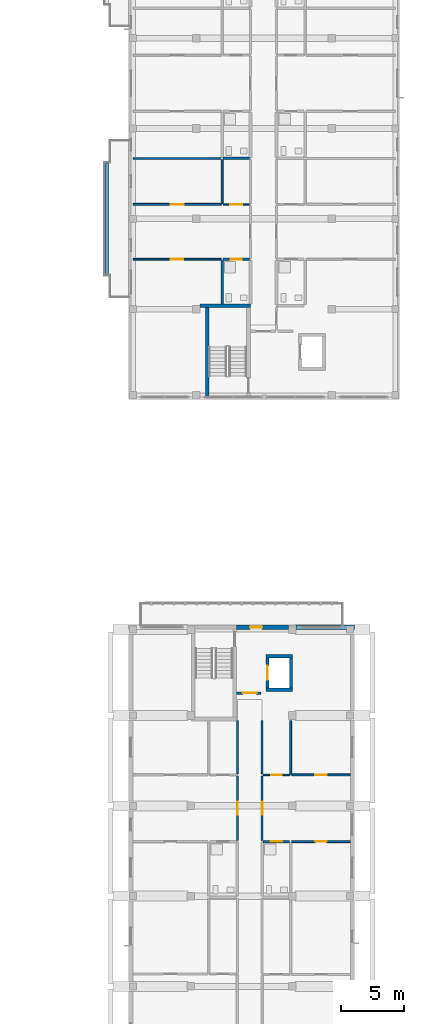
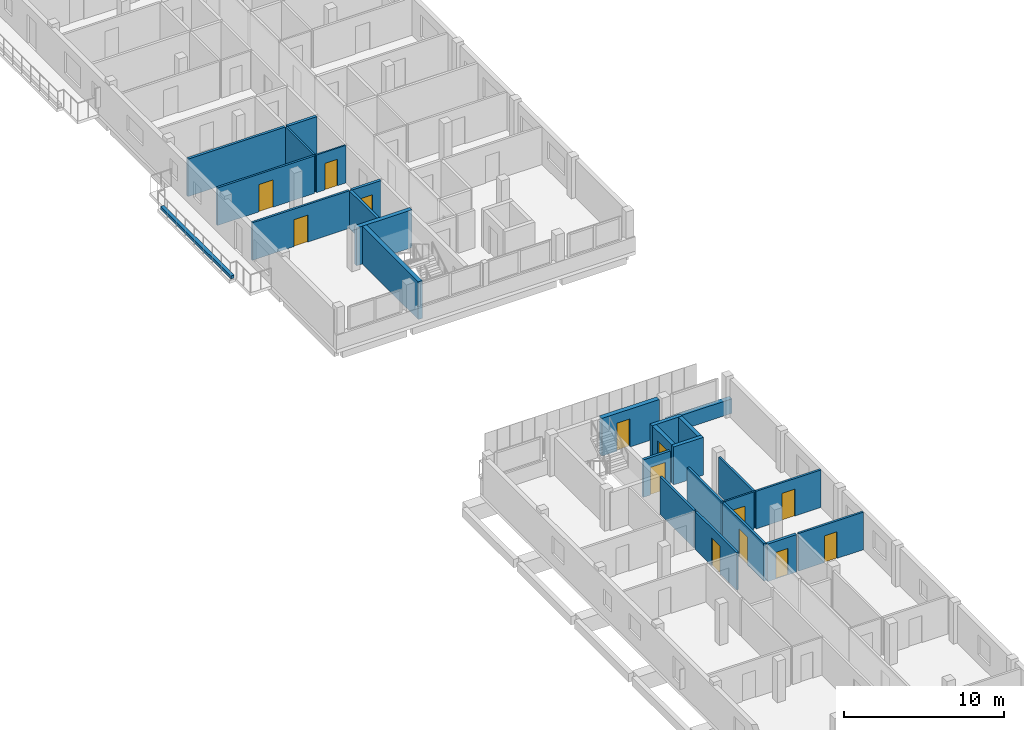
# One storey, part 22 of 41: 27 walls, 13 doors, 13 openings.
"""IFC4 building model written with IfcOpenShell, lengths in metres."""

import ifcopenshell
import ifcopenshell.guid

model = None  # the IFC model being written
_history = None  # IfcOwnerHistory: only IFC2X3 demands one
_inside = {}  # id of a spatial element -> (the spatial element, [elements in it])
_under = {}  # id of a project, library or spatial element -> (it, [spatial elements below it])
_declared = {}  # id of a project -> (the project, [libraries it declares])
_typed = {}  # id of a type object -> (the type object, [elements of that type])
_made_of = {}  # id of a material, layer set ... -> (it, [elements and type objects made of it])


def new_model(schema):
    """Start an empty IFC model of exactly this schema.

    Asked for "IFC4X3", IfcOpenShell would pick the latest addendum, in which some entities
    have other attributes; the version numbers below select the first issue.
    IFC2X3 requires an IfcOwnerHistory on every rooted entity: one is made here for all.
    """
    global model, _history
    if schema == "IFC4X3":
        model = ifcopenshell.file(schema_version=(4, 3, 0, 0))
    else:
        model = ifcopenshell.file(schema=schema)
    _inside.clear()
    _under.clear()
    _declared.clear()
    _typed.clear()
    _made_of.clear()
    _history = None
    if model.schema == "IFC2X3":
        org = make("IfcOrganization", Name="unknown")
        user = make(
            "IfcPersonAndOrganization",
            ThePerson=make("IfcPerson", FamilyName="unknown"),
            TheOrganization=org,
        )
        app = make(
            "IfcApplication",
            ApplicationDeveloper=org,
            Version="unknown",
            ApplicationFullName="unknown",
            ApplicationIdentifier="unknown",
        )
        _history = make(
            "IfcOwnerHistory",
            OwningUser=user,
            OwningApplication=app,
            ChangeAction="ADDED",
            CreationDate=0,
        )
    return model


def make(cls, **values):
    """One entity of the class cls with the attributes given. An attribute that is None is left unset."""
    return model.create_entity(
        cls, **{name: value for name, value in values.items() if value is not None}
    )


def rooted(cls, **values):
    """An entity with a GlobalId (a new one), such as an element, a storey or a relation."""
    return make(cls, GlobalId=ifcopenshell.guid.new(), OwnerHistory=_history, **values)


def si_unit(unit_type, name, prefix=None):
    """IfcSIUnit, for example si_unit("LENGTHUNIT", "METRE", prefix="MILLI")."""
    return make("IfcSIUnit", UnitType=unit_type, Prefix=prefix, Name=name)


def derived_unit(unit_type, elements):
    """IfcDerivedUnit: a product of units, each with its exponent."""
    return make(
        "IfcDerivedUnit",
        Elements=[
            make("IfcDerivedUnitElement", Unit=unit, Exponent=power)
            for unit, power in elements
        ],
        UnitType=unit_type,
    )


def assignment(units):
    """IfcUnitAssignment: the units of a project."""
    return None if units is None else make("IfcUnitAssignment", Units=units)


def point(xyz):
    """IfcCartesianPoint."""
    return None if xyz is None else make("IfcCartesianPoint", Coordinates=xyz)


def direction(xyz):
    """IfcDirection."""
    return None if xyz is None else make("IfcDirection", DirectionRatios=xyz)


def frame(location, z_axis=None, x_axis=None):
    """IfcAxis2Placement3D, a coordinate frame: its origin and axes. An axis left out is left unset."""
    return make(
        "IfcAxis2Placement3D",
        Location=point(location),
        Axis=direction(z_axis),
        RefDirection=direction(x_axis),
    )


def frame_2d(location, x_axis=None):
    """IfcAxis2Placement2D, a coordinate frame in the plane: its origin and x axis."""
    return make(
        "IfcAxis2Placement2D", Location=point(location), RefDirection=direction(x_axis)
    )


def origin():
    """The frame at (0, 0, 0) with its axes left unset."""
    return frame((0.0, 0.0, 0.0))


def place(relative_to, where):
    """IfcLocalPlacement: puts the frame where relative to a parent placement (None: the world)."""
    return make(
        "IfcLocalPlacement", PlacementRelTo=relative_to, RelativePlacement=where
    )


def context(
    kind, dimensions, precision=None, world=None, true_north=None, identifier=None
):
    """IfcGeometricRepresentationContext, for example the 3D "Model" context."""
    return make(
        "IfcGeometricRepresentationContext",
        ContextIdentifier=identifier,
        ContextType=kind,
        CoordinateSpaceDimension=dimensions,
        Precision=precision,
        WorldCoordinateSystem=world,
        TrueNorth=true_north,
    )


def subcontext(parent, identifier, kind, view, scale=None):
    """IfcGeometricRepresentationSubContext, for example "Body" below "Model"."""
    return make(
        "IfcGeometricRepresentationSubContext",
        ContextIdentifier=identifier,
        ContextType=kind,
        ParentContext=parent,
        TargetScale=scale,
        TargetView=view,
    )


def project(units=None, contexts=None):
    """IfcProject with its units and contexts."""
    return rooted(
        "IfcProject",
        Name="project",
        RepresentationContexts=contexts,
        UnitsInContext=assignment(units),
    )


def spatial(cls, under=None, at=None, **own):
    """A site, building, storey or space (cls), placed at a placement, below another one or the project."""
    s = rooted(cls, ObjectPlacement=at, **own)
    if under is not None:
        _under.setdefault(under.id(), (under, []))[1].append(s)
    return s


def profile(cls, at=None, kind="AREA", **sizes):
    """A parametric profile (cls). Its sizes go by their IFC names, for example OverallWidth=200.0."""
    return make(cls, ProfileType=kind, Position=at, **sizes)


def rectangle(**sizes):
    """IfcRectangleProfileDef."""
    return profile("IfcRectangleProfileDef", **sizes)


def extrude(swept, where, along, depth):
    """IfcExtrudedAreaSolid: the profile swept, set in the frame where, extruded along a direction by depth."""
    return make(
        "IfcExtrudedAreaSolid",
        SweptArea=swept,
        Position=where,
        ExtrudedDirection=direction(along),
        Depth=depth,
    )


def shape(context_of_items, identifier, shape_type, items):
    """IfcShapeRepresentation: the items that make up one representation, for example the "Body"."""
    return make(
        "IfcShapeRepresentation",
        ContextOfItems=context_of_items,
        RepresentationIdentifier=identifier,
        RepresentationType=shape_type,
        Items=items,
    )


def material(Name=None, Category=None):
    """IfcMaterial."""
    return make("IfcMaterial", Name=Name, Category=Category)


def layer(
    of_material, thickness, ventilated=None, Name=None, Category=None, Priority=None
):
    """IfcMaterialLayer: one layer of a wall or slab, of a material (None: an air gap)."""
    return make(
        "IfcMaterialLayer",
        Material=of_material,
        LayerThickness=thickness,
        IsVentilated=ventilated,
        Name=Name,
        Category=Category,
        Priority=Priority,
    )


def layer_set(layers, Name=None):
    """IfcMaterialLayerSet."""
    return make("IfcMaterialLayerSet", MaterialLayers=layers, LayerSetName=Name)


def made_of(thing, what):
    """Note that an element or type object is made of a material, layer set ...; save() writes the relation."""
    if what is not None:
        _made_of.setdefault(what.id(), (what, []))[1].append(thing)
    return thing


def type_object(cls, material=None, **own):
    """A type object (cls), such as IfcWallType, which elements share."""
    return made_of(rooted(cls, **own), material)


def element(
    cls,
    number,
    at=None,
    inside=None,
    cuts=None,
    type_object=None,
    material=None,
    context=None,
    identifier="Body",
    shape_type=None,
    held_by="IfcProductDefinitionShape",
    body=None,
    shapes=None,
    **own,
):
    """One element of the class cls, such as IfcWall. Its Tag is "e" and its number.

    at: its placement. inside: the storey or other place that contains it. cuts: it is an
    opening in that element (IfcRelVoidsElement). A single representation is given by context,
    identifier, shape_type and body (its items); several are given by shapes. held_by: the class
    of the entity that holds the representations. save() writes the other relations.
    """
    e = rooted(cls, Tag="e%d" % number, ObjectPlacement=at, **own)
    if body is not None:
        shapes = [shape(context, identifier, shape_type, body)]
    if shapes is not None:
        e.Representation = make(held_by, Representations=shapes)
    if inside is not None:
        _inside.setdefault(inside.id(), (inside, []))[1].append(e)
    if cuts is not None:
        rooted(
            "IfcRelVoidsElement", RelatingBuildingElement=cuts, RelatedOpeningElement=e
        )
    if type_object is not None:
        _typed.setdefault(type_object.id(), (type_object, []))[1].append(e)
    return made_of(e, material)


def fill(opening, filler):
    """IfcRelFillsElement: the door or window that sits in an opening."""
    return rooted(
        "IfcRelFillsElement",
        RelatingOpeningElement=opening,
        RelatedBuildingElement=filler,
    )


def aggregate(whole, parts):
    """IfcRelAggregates: a whole, such as a stair, and the parts it consists of."""
    return rooted("IfcRelAggregates", RelatingObject=whole, RelatedObjects=parts)


def save(model, path):
    """Write the relations noted so far, then the file.

    IfcRelAggregates (storeys below a building ...), IfcRelContainedInSpatialStructure (elements
    in a storey), IfcRelDefinesByType, IfcRelAssociatesMaterial and IfcRelDeclares: one each for
    every whole, place, type object, material and project.
    """
    for whole, parts in _under.values():
        aggregate(whole, parts)
    for where, things in _inside.values():
        rooted(
            "IfcRelContainedInSpatialStructure",
            RelatedElements=things,
            RelatingStructure=where,
        )
    for kind, things in _typed.values():
        rooted("IfcRelDefinesByType", RelatedObjects=things, RelatingType=kind)
    for what, things in _made_of.values():
        rooted("IfcRelAssociatesMaterial", RelatedObjects=things, RelatingMaterial=what)
    for by, libraries in _declared.values():
        rooted("IfcRelDeclares", RelatingContext=by, RelatedDefinitions=libraries)
    model.write(path)


model = new_model("IFC4")

# Units and contexts
model_context = context("Model", 3, precision=1e-05, world=origin(), true_north=direction((0.0, 1.0)))
body_context = subcontext(model_context, "Body", "Model", "MODEL_VIEW")
ifc_project = project(units=[si_unit("LENGTHUNIT", "METRE"), si_unit("AREAUNIT", "SQUARE_METRE"), si_unit("VOLUMEUNIT", "CUBIC_METRE"), si_unit("PLANEANGLEUNIT", "RADIAN"), si_unit("MASSUNIT", "GRAM", prefix="KILO"), derived_unit("THERMALTRANSMITTANCEUNIT", [(si_unit("MASSUNIT", "GRAM", prefix="KILO"), 1), (si_unit("TIMEUNIT", "SECOND"), -3), (si_unit("THERMODYNAMICTEMPERATUREUNIT", "KELVIN"), -1)])], contexts=[model_context])

# Site, building, storey
site_placement = place(None, origin())
site = spatial("IfcSite", under=ifc_project, at=site_placement, CompositionType="ELEMENT")
building_placement = place(site_placement, origin())
building = spatial("IfcBuilding", under=site, at=building_placement, Name="Ochrekiln Boulevard Commons", CompositionType="ELEMENT")
storey_placement = place(building_placement, frame((0.0, 0.0, 21.52490234375)))
storey = spatial("IfcBuildingStorey", under=building, at=storey_placement, Name="L06", CompositionType="ELEMENT", Elevation=21.52490234375)

# Wall, opening, door
ifc_material_1 = material(Name="Desert ochre clinker brick masonry ASTM C216 Grade SW", Category="masonry")
ifc_layer_1 = layer(ifc_material_1, 0.330078125)
ifc_layer_set_1 = layer_set([ifc_layer_1], Name="Desert ochre clinker brick masonry ASTM C216 Grade SW")
wall_type_1 = type_object("IfcWallType", Name="WL-EXT-OCHRE-330", PredefinedType="SOLIDWALL", material=ifc_layer_set_1)
wall_1_placement = place(storey_placement, frame((159.800048828125, 50.235107421875, 0.0), z_axis=(0.0, 0.0, 1.0), x_axis=(1.0, 0.0, 0.0)))
wall_1 = element("IfcWall", 1, at=wall_1_placement, inside=storey, type_object=wall_type_1, Name="Block C L06 North Balcony Door Wall", PredefinedType="SOLIDWALL", context=body_context, shape_type="SweptSolid", body=[
    extrude(rectangle(XDim=4.14990234375, YDim=0.330078125, at=frame_2d((2.074951171875, 0.0))), origin(), (0.0, 0.0, 1.0), 2.89013671875),
])
opening_1_placement = place(wall_1_placement, frame((1.074951171875, 0.0, 0.0)))
opening_1 = element("IfcOpeningElement", 2, at=opening_1_placement, cuts=wall_1, Name="Opening D-L06-CBL", PredefinedType="OPENING", context=body_context, shape_type="SweptSolid", body=[
    extrude(rectangle(XDim=0.949951171875, YDim=2.14990234375, at=frame_2d((0.47509765625, 1.074951171875))), frame((0.0, 0.175048828125, 0.0), z_axis=(0.0, -1.0, 0.0), x_axis=(1.0, 0.0, 0.0)), (0.0, 0.0, 1.0), 0.35009765625),
])
ifc_material_2 = material(Name="Thermally broken aluminium-clad oak frame", Category="aluminium")
door_type_1 = type_object("IfcDoorType", Name="DR-EXT-BAL-095", OperationType="NOTDEFINED", PredefinedType="DOOR", material=ifc_material_2)
door_1_placement = place(opening_1_placement, origin())
door_1 = element("IfcDoor", 3, at=door_1_placement, inside=storey, type_object=door_type_1, Name="Block C L06 North Courtyard Balcony Door", OperationType="SINGLE_SWING_LEFT", OverallHeight=2.14990234375, OverallWidth=0.949951171875, PredefinedType="DOOR", context=body_context, shape_type="SweptSolid", body=[
    extrude(rectangle(XDim=0.949951171875, YDim=2.14990234375, at=frame_2d((0.47509765625, 1.074951171875))), frame((0.0, 0.02490234375, 0.0), z_axis=(0.0, -1.0, 0.0), x_axis=(1.0, 0.0, 0.0)), (0.0, 0.0, 1.0), 0.050048828125),
])
fill(opening_1, door_1)

# Wall
wall_2_placement = place(storey_placement, frame((164.550048828125, 50.235107421875, 0.0), z_axis=(0.0, 0.0, 1.0), x_axis=(1.0, 0.0, 0.0)))
element("IfcWall", 4, at=wall_2_placement, inside=storey, type_object=wall_type_1, Name="Block C L06 Courtyard Gable Sill Wall R", PredefinedType="SOLIDWALL", context=body_context, shape_type="SweptSolid", body=[
    extrude(rectangle(XDim=4.64990234375, YDim=0.330078125, at=frame_2d((2.324951171875, 0.0))), origin(), (0.0, 0.0, 1.0), 1.110107421875),
])

# Wall, opening, door
ifc_material_3 = material(Name="Moisture-resistant cementitious tile backer wall")
ifc_layer_2 = layer(ifc_material_3, 0.199951171875)
ifc_layer_set_2 = layer_set([ifc_layer_2], Name="Moisture-resistant cementitious tile backer wall")
wall_type_2 = type_object("IfcWallType", Name="WL-PLM-200", PredefinedType="PLUMBINGWALL", material=ifc_layer_set_2)
wall_3_placement = place(storey_placement, frame((158.719970703125, 79.572998046875, 0.0), z_axis=(0.0, 0.0, 1.0), x_axis=(1.0, 0.0, 0.0)))
wall_3 = element("IfcWall", 5, at=wall_3_placement, inside=storey, type_object=wall_type_2, Name="L06 Interior Wall W-PW200", PredefinedType="PLUMBINGWALL", context=body_context, shape_type="SweptSolid", body=[
    extrude(rectangle(XDim=2.10693359375, YDim=0.199951171875, at=frame_2d((1.053466796875, 0.0))), origin(), (0.0, 0.0, 1.0), 2.8701171875),
])
opening_2_placement = place(wall_3_placement, frame((0.6201171875, 0.0, 0.0)))
opening_2 = element("IfcOpeningElement", 6, at=opening_2_placement, cuts=wall_3, Name="Opening D-L06-820", PredefinedType="OPENING", context=body_context, shape_type="SweptSolid", body=[
    extrude(rectangle(XDim=0.860107421875, YDim=2.0, at=frame_2d((0.43017578125, 1.0))), frame((0.0, 0.10986328125, 0.0), z_axis=(0.0, -1.0, 0.0), x_axis=(1.0, 0.0, 0.0)), (0.0, 0.0, 1.0), 0.219970703125),
])
ifc_material_4 = material(Name="Solid core architectural oak door leaf")
door_type_2 = type_object("IfcDoorType", Name="DR-INT-BTH-086", OperationType="NOTDEFINED", PredefinedType="DOOR", material=ifc_material_4)
door_2_placement = place(opening_2_placement, frame((0.860107421875, 0.0, 0.0), z_axis=(0.0, 0.0, 1.0), x_axis=(-1.0, 0.0, 0.0)))
door_2 = element("IfcDoor", 7, at=door_2_placement, inside=storey, type_object=door_type_2, Name="L06 Interior Door to Accessible Apartment Bathroom", OperationType="SINGLE_SWING_RIGHT", OverallHeight=2.0, OverallWidth=0.860107421875, PredefinedType="DOOR", context=body_context, shape_type="SweptSolid", body=[
    extrude(rectangle(XDim=0.860107421875, YDim=2.0, at=frame_2d((0.43017578125, 1.0))), frame((0.0, 0.02490234375, 0.0), z_axis=(0.0, -1.0, 0.0), x_axis=(1.0, 0.0, 0.0)), (0.0, 0.0, 1.0), 0.050048828125),
])
fill(opening_2, door_2)

# Walls
wall_4_placement = place(storey_placement, frame((158.639892578125, 76.0, 0.0), z_axis=(0.0, 0.0, 1.0), x_axis=(0.0, 1.0, 0.0)))
element("IfcWall", 8, at=wall_4_placement, inside=storey, type_object=wall_type_2, Name="L06 Interior Wall W-PW200", PredefinedType="PLUMBINGWALL", context=body_context, shape_type="SweptSolid", body=[
    extrude(rectangle(XDim=3.492919921875, YDim=0.199951171875, at=frame_2d((1.74658203125, 0.0))), origin(), (0.0, 0.0, 1.0), 2.8701171875),
])
wall_5_placement = place(storey_placement, frame((158.715087890625, 87.615966796875, 0.0), z_axis=(0.0, 0.0, 1.0), x_axis=(1.0, 0.0, 0.0)))
element("IfcWall", 9, at=wall_5_placement, inside=storey, type_object=wall_type_2, Name="L06 Interior Wall W-PW200", PredefinedType="PLUMBINGWALL", context=body_context, shape_type="SweptSolid", body=[
    extrude(rectangle(XDim=2.11181640625, YDim=0.199951171875, at=frame_2d((1.055908203125, 0.0))), origin(), (0.0, 0.0, 1.0), 2.8701171875),
])

# Wall, opening, door
wall_6_placement = place(storey_placement, frame((161.923095703125, 33.14697265625, 0.0), z_axis=(0.0, 0.0, 1.0), x_axis=(1.0, 0.0, 0.0)))
wall_6 = element("IfcWall", 10, at=wall_6_placement, inside=storey, type_object=wall_type_2, Name="L06 Interior Wall W-PW200", PredefinedType="PLUMBINGWALL", context=body_context, shape_type="SweptSolid", body=[
    extrude(rectangle(XDim=2.10693359375, YDim=0.199951171875, at=frame_2d((1.053466796875, 0.0))), origin(), (0.0, 0.0, 1.0), 2.8701171875),
])
opening_3_placement = place(wall_6_placement, frame((0.612060546875, 0.0, 0.0)))
opening_3 = element("IfcOpeningElement", 11, at=opening_3_placement, cuts=wall_6, Name="Opening D-L06-863", PredefinedType="OPENING", context=body_context, shape_type="SweptSolid", body=[
    extrude(rectangle(XDim=0.889892578125, YDim=2.030029296875, at=frame_2d((0.44482421875, 1.01513671875))), frame((0.0, 0.10986328125, 0.0), z_axis=(0.0, -1.0, 0.0), x_axis=(1.0, 0.0, 0.0)), (0.0, 0.0, 1.0), 0.219970703125),
])
door_type_3 = type_object("IfcDoorType", Name="DR-INT-BTH-089", OperationType="NOTDEFINED", PredefinedType="DOOR", material=ifc_material_4)
door_3_placement = place(opening_3_placement, frame((0.889892578125, 0.0, 0.0), z_axis=(0.0, 0.0, 1.0), x_axis=(-1.0, 0.0, 0.0)))
door_3 = element("IfcDoor", 12, at=door_3_placement, inside=storey, type_object=door_type_3, Name="L06 Interior Door to Apartment Bathroom", OperationType="SINGLE_SWING_LEFT", OverallHeight=2.030029296875, OverallWidth=0.889892578125, PredefinedType="DOOR", context=body_context, shape_type="SweptSolid", body=[
    extrude(rectangle(XDim=0.889892578125, YDim=2.030029296875, at=frame_2d((0.44482421875, 1.01513671875))), frame((0.0, 0.02490234375, 0.0), z_axis=(0.0, -1.0, 0.0), x_axis=(1.0, 0.0, 0.0)), (0.0, 0.0, 1.0), 0.050048828125),
])
fill(opening_3, door_3)

# Wall
ifc_material_5 = material(Name="Glazed architectural terracotta ASTM C1405", Category="masonry")
ifc_layer_3 = layer(ifc_material_5, 0.25)
ifc_layer_set_3 = layer_set([ifc_layer_3], Name="Glazed architectural terracotta ASTM C1405")
wall_type_3 = type_object("IfcWallType", Name="WL-PLN-250", PredefinedType="PARAPET", material=ifc_layer_set_3)
wall_7_placement = place(storey_placement, frame((149.47998046875, 78.409912109375, 0.0), z_axis=(0.0, 0.0, 1.0), x_axis=(0.0, 1.0, 0.0)))
element("IfcWall", 13, at=wall_7_placement, inside=storey, type_object=wall_type_3, Name="Block B L06 Balcony Terracotta Planter Box 1", PredefinedType="PARAPET", context=body_context, shape_type="SweptSolid", body=[
    extrude(rectangle(XDim=8.780029296875, YDim=0.25, at=frame_2d((4.39013671875, 0.0))), origin(), (0.0, 0.0, 1.0), 0.22998046875),
])

# Wall, opening, door
ifc_material_6 = material(Name="Fire-rated Type X gypsum board on steel studs", Category="steel")
ifc_layer_4 = layer(ifc_material_6, 0.1650390625)
ifc_layer_set_4 = layer_set([ifc_layer_4], Name="Fire-rated Type X gypsum board on steel studs")
wall_type_4 = type_object("IfcWallType", Name="WL-PT-CORR-165", PredefinedType="PARTITIONING", material=ifc_layer_set_4)
wall_8_placement = place(storey_placement, frame((159.860107421875, 33.22705078125, 0.0), z_axis=(0.0, 0.0, 1.0), x_axis=(0.0, 1.0, 0.0)))
wall_8 = element("IfcWall", 14, at=wall_8_placement, inside=storey, type_object=wall_type_4, Name="L06 Interior Wall W-PC165", PredefinedType="PARTITIONING", context=body_context, shape_type="SweptSolid", body=[
    extrude(rectangle(XDim=5.156005859375, YDim=0.1650390625, at=frame_2d((2.578125, 0.0))), origin(), (0.0, 0.0, 1.0), 2.8701171875),
])
opening_4_placement = place(wall_8_placement, frame((2.052978515625, 0.0, 0.0)))
opening_4 = element("IfcOpeningElement", 15, at=opening_4_placement, cuts=wall_8, Name="Opening D-L06-848", PredefinedType="OPENING", context=body_context, shape_type="SweptSolid", body=[
    extrude(rectangle(XDim=1.050048828125, YDim=2.1298828125, at=frame_2d((0.52490234375, 1.06494140625))), frame((0.0, 0.092529296875, 0.0), z_axis=(0.0, -1.0, 0.0), x_axis=(1.0, 0.0, 0.0)), (0.0, 0.0, 1.0), 0.18505859375),
])
door_type_4 = type_object("IfcDoorType", Name="DR-INT-APT-105", OperationType="NOTDEFINED", PredefinedType="DOOR", material=ifc_material_4)
door_4_placement = place(opening_4_placement, origin())
door_4 = element("IfcDoor", 16, at=door_4_placement, inside=storey, type_object=door_type_4, Name="L06 Interior Door to Two-Bedroom Apartment Living Room", OperationType="SINGLE_SWING_RIGHT", OverallHeight=2.1298828125, OverallWidth=1.050048828125, PredefinedType="DOOR", context=body_context, shape_type="SweptSolid", body=[
    extrude(rectangle(XDim=1.050048828125, YDim=2.1298828125, at=frame_2d((0.52490234375, 1.06494140625))), frame((0.0, 0.02490234375, 0.0), z_axis=(0.0, -1.0, 0.0), x_axis=(1.0, 0.0, 0.0)), (0.0, 0.0, 1.0), 0.050048828125),
])
fill(opening_4, door_4)

# Wall
wall_9_placement = place(storey_placement, frame((159.860107421875, 38.54296875, 0.0), z_axis=(0.0, 0.0, 1.0), x_axis=(0.0, 1.0, 0.0)))
element("IfcWall", 17, at=wall_9_placement, inside=storey, type_object=wall_type_4, Name="L06 Interior Wall W-PC165", PredefinedType="PARTITIONING", context=body_context, shape_type="SweptSolid", body=[
    extrude(rectangle(XDim=4.257080078125, YDim=0.1650390625, at=frame_2d((2.12841796875, 0.0))), origin(), (0.0, 0.0, 1.0), 2.8701171875),
])

# Wall, opening, door
wall_10_placement = place(storey_placement, frame((161.840087890625, 33.22705078125, 0.0), z_axis=(0.0, 0.0, 1.0), x_axis=(0.0, 1.0, 0.0)))
wall_10 = element("IfcWall", 18, at=wall_10_placement, inside=storey, type_object=wall_type_4, Name="L06 Interior Wall W-PC165", PredefinedType="PARTITIONING", context=body_context, shape_type="SweptSolid", body=[
    extrude(rectangle(XDim=5.156005859375, YDim=0.1650390625, at=frame_2d((2.578125, 0.0))), origin(), (0.0, 0.0, 1.0), 2.8701171875),
])
opening_5_placement = place(wall_10_placement, frame((2.052978515625, 0.0, 0.0)))
opening_5 = element("IfcOpeningElement", 19, at=opening_5_placement, cuts=wall_10, Name="Opening D-L06-850", PredefinedType="OPENING", context=body_context, shape_type="SweptSolid", body=[
    extrude(rectangle(XDim=1.050048828125, YDim=2.1298828125, at=frame_2d((0.52490234375, 1.06494140625))), frame((0.0, 0.092529296875, 0.0), z_axis=(0.0, -1.0, 0.0), x_axis=(1.0, 0.0, 0.0)), (0.0, 0.0, 1.0), 0.18505859375),
])
door_5_placement = place(opening_5_placement, frame((1.050048828125, 0.0, 0.0), z_axis=(0.0, 0.0, 1.0), x_axis=(-1.0, 0.0, 0.0)))
door_5 = element("IfcDoor", 20, at=door_5_placement, inside=storey, type_object=door_type_4, Name="L06 Interior Door to Two-Bedroom Apartment Living Room", OperationType="SINGLE_SWING_RIGHT", OverallHeight=2.1298828125, OverallWidth=1.050048828125, PredefinedType="DOOR", context=body_context, shape_type="SweptSolid", body=[
    extrude(rectangle(XDim=1.050048828125, YDim=2.1298828125, at=frame_2d((0.52490234375, 1.06494140625))), frame((0.0, 0.02490234375, 0.0), z_axis=(0.0, -1.0, 0.0), x_axis=(1.0, 0.0, 0.0)), (0.0, 0.0, 1.0), 0.050048828125),
])
fill(opening_5, door_5)

# Walls
wall_11_placement = place(storey_placement, frame((161.840087890625, 38.54296875, 0.0), z_axis=(0.0, 0.0, 1.0), x_axis=(0.0, 1.0, 0.0)))
element("IfcWall", 21, at=wall_11_placement, inside=storey, type_object=wall_type_4, Name="L06 Interior Wall W-PC165", PredefinedType="PARTITIONING", context=body_context, shape_type="SweptSolid", body=[
    extrude(rectangle(XDim=4.257080078125, YDim=0.1650390625, at=frame_2d((2.12841796875, 0.0))), origin(), (0.0, 0.0, 1.0), 2.8701171875),
])
ifc_layer_5 = layer(ifc_material_6, 0.179931640625)
ifc_layer_set_5 = layer_set([ifc_layer_5], Name="Fire-rated Type X gypsum board on steel studs")
wall_type_5 = type_object("IfcWallType", Name="WL-PT-DEM-180", PredefinedType="PARTITIONING", material=ifc_layer_set_5)
wall_12_placement = place(storey_placement, frame((151.5400390625, 87.615966796875, 0.0), z_axis=(0.0, 0.0, 1.0), x_axis=(1.0, 0.0, 0.0)))
element("IfcWall", 22, at=wall_12_placement, inside=storey, type_object=wall_type_5, Name="L06 Interior Wall W-PD180", PredefinedType="PARTITIONING", context=body_context, shape_type="SweptSolid", body=[
    extrude(rectangle(XDim=7.02001953125, YDim=0.179931640625, at=frame_2d((3.510009765625, 0.0))), origin(), (0.0, 0.0, 1.0), 2.8701171875),
])

# Wall, opening, door
ifc_layer_6 = layer(ifc_material_6, 0.18994140625)
ifc_layer_set_6 = layer_set([ifc_layer_6], Name="Fire-rated Type X gypsum board on steel studs")
wall_type_6 = type_object("IfcWallType", Name="WL-PT-LBY-190", PredefinedType="PARTITIONING", material=ifc_layer_set_6)
wall_13_placement = place(storey_placement, frame((159.800048828125, 44.97998046875, 0.0), z_axis=(0.0, 0.0, 1.0), x_axis=(1.0, 0.0, 0.0)))
wall_13 = element("IfcWall", 23, at=wall_13_placement, inside=storey, type_object=wall_type_6, Name="L06 Interior Wall W-PL190", PredefinedType="PARTITIONING", context=body_context, shape_type="SweptSolid", body=[
    extrude(rectangle(XDim=1.949951171875, YDim=0.18994140625, at=frame_2d((0.97509765625, 0.0))), origin(), (0.0, 0.0, 1.0), 2.8701171875),
])
opening_6_placement = place(wall_13_placement, frame((0.5, 0.0, 0.0)))
opening_6 = element("IfcOpeningElement", 24, at=opening_6_placement, cuts=wall_13, Name="Opening D-L06-845", PredefinedType="OPENING", context=body_context, shape_type="SweptSolid", body=[
    extrude(rectangle(XDim=1.10009765625, YDim=2.1201171875, at=frame_2d((0.550048828125, 1.06005859375))), frame((0.0, 0.10498046875, 0.0), z_axis=(0.0, -1.0, 0.0), x_axis=(1.0, 0.0, 0.0)), (0.0, 0.0, 1.0), 0.2099609375),
])
ifc_material_7 = material(Name="Hollow metal fire-rated steel door assembly", Category="steel")
door_type_5 = type_object("IfcDoorType", Name="DR-LOBBY-60", OperationType="NOTDEFINED", PredefinedType="DOOR", material=ifc_material_7)
door_6_placement = place(opening_6_placement, origin())
door_6 = element("IfcDoor", 25, at=door_6_placement, inside=storey, type_object=door_type_5, Name="L06 Interior Door to Passenger Elevator Lobby", OperationType="SINGLE_SWING_LEFT", OverallHeight=2.1201171875, OverallWidth=1.10009765625, PredefinedType="DOOR", context=body_context, shape_type="SweptSolid", body=[
    extrude(rectangle(XDim=1.10009765625, YDim=2.1201171875, at=frame_2d((0.550048828125, 1.06005859375))), frame((0.0, 0.02490234375, 0.0), z_axis=(0.0, -1.0, 0.0), x_axis=(1.0, 0.0, 0.0)), (0.0, 0.0, 1.0), 0.050048828125),
])
fill(opening_6, door_6)

ifc_layer_7 = layer(ifc_material_6, 0.1201171875)
ifc_layer_set_7 = layer_set([ifc_layer_7], Name="Fire-rated Type X gypsum board on steel studs")
wall_type_7 = type_object("IfcWallType", Name="WL-PT-LGT-120", PredefinedType="PARTITIONING", material=ifc_layer_set_7)
wall_14_placement = place(storey_placement, frame((158.719970703125, 83.952880859375, 0.0), z_axis=(0.0, 0.0, 1.0), x_axis=(1.0, 0.0, 0.0)))
wall_14 = element("IfcWall", 26, at=wall_14_placement, inside=storey, type_object=wall_type_7, Name="L06 Interior Wall W-PL120", PredefinedType="PARTITIONING", context=body_context, shape_type="SweptSolid", body=[
    extrude(rectangle(XDim=2.10693359375, YDim=0.1201171875, at=frame_2d((1.053466796875, 0.0))), origin(), (0.0, 0.0, 1.0), 2.8701171875),
])
opening_7_placement = place(wall_14_placement, frame((0.590087890625, 0.0, 0.0)))
opening_7 = element("IfcOpeningElement", 27, at=opening_7_placement, cuts=wall_14, Name="Opening D-L06-821", PredefinedType="OPENING", context=body_context, shape_type="SweptSolid", body=[
    extrude(rectangle(XDim=0.919921875, YDim=2.02001953125, at=frame_2d((0.4599609375, 1.010009765625))), frame((0.0, 0.070068359375, 0.0), z_axis=(0.0, -1.0, 0.0), x_axis=(1.0, 0.0, 0.0)), (0.0, 0.0, 1.0), 0.14013671875),
])
door_type_6 = type_object("IfcDoorType", Name="DR-INT-KIT-092", OperationType="NOTDEFINED", PredefinedType="DOOR", material=ifc_material_4)
door_7_placement = place(opening_7_placement, origin())
door_7 = element("IfcDoor", 28, at=door_7_placement, inside=storey, type_object=door_type_6, Name="L06 Interior Door to Apartment Kitchen", OperationType="SINGLE_SWING_LEFT", OverallHeight=2.02001953125, OverallWidth=0.919921875, PredefinedType="DOOR", context=body_context, shape_type="SweptSolid", body=[
    extrude(rectangle(XDim=0.919921875, YDim=2.02001953125, at=frame_2d((0.4599609375, 1.010009765625))), frame((0.0, 0.02490234375, 0.0), z_axis=(0.0, -1.0, 0.0), x_axis=(1.0, 0.0, 0.0)), (0.0, 0.0, 1.0), 0.050048828125),
])
fill(opening_7, door_7)

wall_15_placement = place(storey_placement, frame((161.923095703125, 38.462890625, 0.0), z_axis=(0.0, 0.0, 1.0), x_axis=(1.0, 0.0, 0.0)))
wall_15 = element("IfcWall", 29, at=wall_15_placement, inside=storey, type_object=wall_type_7, Name="L06 Interior Wall W-PL120", PredefinedType="PARTITIONING", context=body_context, shape_type="SweptSolid", body=[
    extrude(rectangle(XDim=2.10693359375, YDim=0.1201171875, at=frame_2d((1.053466796875, 0.0))), origin(), (0.0, 0.0, 1.0), 2.8701171875),
])
opening_8_placement = place(wall_15_placement, frame((0.632080078125, 0.0, 0.0)))
opening_8 = element("IfcOpeningElement", 30, at=opening_8_placement, cuts=wall_15, Name="Opening D-L06-864", PredefinedType="OPENING", context=body_context, shape_type="SweptSolid", body=[
    extrude(rectangle(XDim=0.85009765625, YDim=2.010009765625, at=frame_2d((0.425048828125, 1.0048828125))), frame((0.0, 0.070068359375, 0.0), z_axis=(0.0, -1.0, 0.0), x_axis=(1.0, 0.0, 0.0)), (0.0, 0.0, 1.0), 0.14013671875),
])
door_type_7 = type_object("IfcDoorType", Name="DR-INT-KIT-085", OperationType="NOTDEFINED", PredefinedType="DOOR", material=ifc_material_4)
door_8_placement = place(opening_8_placement, origin())
door_8 = element("IfcDoor", 31, at=door_8_placement, inside=storey, type_object=door_type_7, Name="L06 Interior Door to Apartment Kitchen", OperationType="SINGLE_SWING_RIGHT", OverallHeight=2.010009765625, OverallWidth=0.85009765625, PredefinedType="DOOR", context=body_context, shape_type="SweptSolid", body=[
    extrude(rectangle(XDim=0.85009765625, YDim=2.010009765625, at=frame_2d((0.425048828125, 1.0048828125))), frame((0.0, 0.02490234375, 0.0), z_axis=(0.0, -1.0, 0.0), x_axis=(1.0, 0.0, 0.0)), (0.0, 0.0, 1.0), 0.050048828125),
])
fill(opening_8, door_8)

ifc_layer_8 = layer(ifc_material_6, 0.14990234375)
ifc_layer_set_8 = layer_set([ifc_layer_8], Name="Fire-rated Type X gypsum board on steel studs")
wall_type_8 = type_object("IfcWallType", Name="WL-PT-STD-150", PredefinedType="PARTITIONING", material=ifc_layer_set_8)
wall_16_placement = place(storey_placement, frame((151.5400390625, 79.572998046875, 0.0), z_axis=(0.0, 0.0, 1.0), x_axis=(1.0, 0.0, 0.0)))
wall_16 = element("IfcWall", 32, at=wall_16_placement, inside=storey, type_object=wall_type_8, Name="L06 Interior Wall W-PS150", PredefinedType="PARTITIONING", context=body_context, shape_type="SweptSolid", body=[
    extrude(rectangle(XDim=7.02001953125, YDim=0.14990234375, at=frame_2d((3.510009765625, 0.0))), origin(), (0.0, 0.0, 1.0), 2.8701171875),
])
opening_9_placement = place(wall_16_placement, frame((3.014892578125, 0.0, 0.0)))
opening_9 = element("IfcOpeningElement", 33, at=opening_9_placement, cuts=wall_16, Name="Opening D-L06-822", PredefinedType="OPENING", context=body_context, shape_type="SweptSolid", body=[
    extrude(rectangle(XDim=1.0, YDim=2.06005859375, at=frame_2d((0.5, 1.030029296875))), frame((0.0, 0.0849609375, 0.0), z_axis=(0.0, -1.0, 0.0), x_axis=(1.0, 0.0, 0.0)), (0.0, 0.0, 1.0), 0.169921875),
])
door_type_8 = type_object("IfcDoorType", Name="DR-INT-BED-100", OperationType="NOTDEFINED", PredefinedType="DOOR", material=ifc_material_4)
door_9_placement = place(opening_9_placement, frame((1.0, 0.0, 0.0), z_axis=(0.0, 0.0, 1.0), x_axis=(-1.0, 0.0, 0.0)))
door_9 = element("IfcDoor", 34, at=door_9_placement, inside=storey, type_object=door_type_8, Name="L06 Interior Door to Primary Apartment Bedroom", OperationType="SINGLE_SWING_RIGHT", OverallHeight=2.06005859375, OverallWidth=1.0, PredefinedType="DOOR", context=body_context, shape_type="SweptSolid", body=[
    extrude(rectangle(XDim=1.0, YDim=2.06005859375, at=frame_2d((0.5, 1.030029296875))), frame((0.0, 0.02490234375, 0.0), z_axis=(0.0, -1.0, 0.0), x_axis=(1.0, 0.0, 0.0)), (0.0, 0.0, 1.0), 0.050048828125),
])
fill(opening_9, door_9)

wall_17_placement = place(storey_placement, frame((151.5400390625, 83.952880859375, 0.0), z_axis=(0.0, 0.0, 1.0), x_axis=(1.0, 0.0, 0.0)))
wall_17 = element("IfcWall", 35, at=wall_17_placement, inside=storey, type_object=wall_type_8, Name="L06 Interior Wall W-PS150", PredefinedType="PARTITIONING", context=body_context, shape_type="SweptSolid", body=[
    extrude(rectangle(XDim=7.02001953125, YDim=0.14990234375, at=frame_2d((3.510009765625, 0.0))), origin(), (0.0, 0.0, 1.0), 2.8701171875),
])
opening_10_placement = place(wall_17_placement, frame((2.9951171875, 0.0, 0.0)))
opening_10 = element("IfcOpeningElement", 36, at=opening_10_placement, cuts=wall_17, Name="Opening D-L06-823", PredefinedType="OPENING", context=body_context, shape_type="SweptSolid", body=[
    extrude(rectangle(XDim=1.0400390625, YDim=2.080078125, at=frame_2d((0.52001953125, 1.0400390625))), frame((0.0, 0.0849609375, 0.0), z_axis=(0.0, -1.0, 0.0), x_axis=(1.0, 0.0, 0.0)), (0.0, 0.0, 1.0), 0.169921875),
])
door_type_9 = type_object("IfcDoorType", Name="DR-INT-BED-104", OperationType="NOTDEFINED", PredefinedType="DOOR", material=ifc_material_4)
door_10_placement = place(opening_10_placement, origin())
door_10 = element("IfcDoor", 37, at=door_10_placement, inside=storey, type_object=door_type_9, Name="L06 Interior Door to Secondary Apartment Bedroom", OperationType="SINGLE_SWING_LEFT", OverallHeight=2.080078125, OverallWidth=1.0400390625, PredefinedType="DOOR", context=body_context, shape_type="SweptSolid", body=[
    extrude(rectangle(XDim=1.0400390625, YDim=2.080078125, at=frame_2d((0.52001953125, 1.0400390625))), frame((0.0, 0.02490234375, 0.0), z_axis=(0.0, -1.0, 0.0), x_axis=(1.0, 0.0, 0.0)), (0.0, 0.0, 1.0), 0.050048828125),
])
fill(opening_10, door_10)

# Wall
wall_18_placement = place(storey_placement, frame((158.639892578125, 84.012939453125, 0.0), z_axis=(0.0, 0.0, 1.0), x_axis=(0.0, 1.0, 0.0)))
element("IfcWall", 38, at=wall_18_placement, inside=storey, type_object=wall_type_8, Name="L06 Interior Wall W-PS150", PredefinedType="PARTITIONING", context=body_context, shape_type="SweptSolid", body=[
    extrude(rectangle(XDim=3.512939453125, YDim=0.14990234375, at=frame_2d((1.75634765625, 0.0))), origin(), (0.0, 0.0, 1.0), 2.8701171875),
])

# Wall, opening, door
wall_19_placement = place(storey_placement, frame((164.18994140625, 33.14697265625, 0.0), z_axis=(0.0, 0.0, 1.0), x_axis=(1.0, 0.0, 0.0)))
wall_19 = element("IfcWall", 39, at=wall_19_placement, inside=storey, type_object=wall_type_8, Name="L06 Interior Wall W-PS150", PredefinedType="PARTITIONING", context=body_context, shape_type="SweptSolid", body=[
    extrude(rectangle(XDim=4.68017578125, YDim=0.14990234375, at=frame_2d((2.340087890625, 0.0))), origin(), (0.0, 0.0, 1.0), 2.8701171875),
])
opening_11_placement = place(wall_19_placement, frame((1.8798828125, 0.0, 0.0)))
opening_11 = element("IfcOpeningElement", 40, at=opening_11_placement, cuts=wall_19, Name="Opening D-L06-865", PredefinedType="OPENING", context=body_context, shape_type="SweptSolid", body=[
    extrude(rectangle(XDim=0.89990234375, YDim=2.0400390625, at=frame_2d((0.449951171875, 1.02001953125))), frame((0.0, 0.0849609375, 0.0), z_axis=(0.0, -1.0, 0.0), x_axis=(1.0, 0.0, 0.0)), (0.0, 0.0, 1.0), 0.169921875),
])
door_type_10 = type_object("IfcDoorType", Name="DR-INT-BED-090", OperationType="NOTDEFINED", PredefinedType="DOOR", material=ifc_material_4)
door_11_placement = place(opening_11_placement, frame((0.89990234375, 0.0, 0.0), z_axis=(0.0, 0.0, 1.0), x_axis=(-1.0, 0.0, 0.0)))
door_11 = element("IfcDoor", 41, at=door_11_placement, inside=storey, type_object=door_type_10, Name="L06 Interior Door to Primary Apartment Bedroom", OperationType="SINGLE_SWING_LEFT", OverallHeight=2.0400390625, OverallWidth=0.89990234375, PredefinedType="DOOR", context=body_context, shape_type="SweptSolid", body=[
    extrude(rectangle(XDim=0.89990234375, YDim=2.0400390625, at=frame_2d((0.449951171875, 1.02001953125))), frame((0.0, 0.02490234375, 0.0), z_axis=(0.0, -1.0, 0.0), x_axis=(1.0, 0.0, 0.0)), (0.0, 0.0, 1.0), 0.050048828125),
])
fill(opening_11, door_11)

wall_20_placement = place(storey_placement, frame((164.18994140625, 38.462890625, 0.0), z_axis=(0.0, 0.0, 1.0), x_axis=(1.0, 0.0, 0.0)))
wall_20 = element("IfcWall", 42, at=wall_20_placement, inside=storey, type_object=wall_type_8, Name="L06 Interior Wall W-PS150", PredefinedType="PARTITIONING", context=body_context, shape_type="SweptSolid", body=[
    extrude(rectangle(XDim=4.68017578125, YDim=0.14990234375, at=frame_2d((2.340087890625, 0.0))), origin(), (0.0, 0.0, 1.0), 2.8701171875),
])
opening_12_placement = place(wall_20_placement, frame((1.860107421875, 0.0, 0.0)))
opening_12 = element("IfcOpeningElement", 43, at=opening_12_placement, cuts=wall_20, Name="Opening D-L06-866", PredefinedType="OPENING", context=body_context, shape_type="SweptSolid", body=[
    extrude(rectangle(XDim=0.93994140625, YDim=2.06005859375, at=frame_2d((0.469970703125, 1.030029296875))), frame((0.0, 0.0849609375, 0.0), z_axis=(0.0, -1.0, 0.0), x_axis=(1.0, 0.0, 0.0)), (0.0, 0.0, 1.0), 0.169921875),
])
door_type_11 = type_object("IfcDoorType", Name="DR-INT-BED-094", OperationType="NOTDEFINED", PredefinedType="DOOR", material=ifc_material_4)
door_12_placement = place(opening_12_placement, origin())
door_12 = element("IfcDoor", 44, at=door_12_placement, inside=storey, type_object=door_type_11, Name="L06 Interior Door to Secondary Apartment Bedroom", OperationType="SINGLE_SWING_RIGHT", OverallHeight=2.06005859375, OverallWidth=0.93994140625, PredefinedType="DOOR", context=body_context, shape_type="SweptSolid", body=[
    extrude(rectangle(XDim=0.93994140625, YDim=2.06005859375, at=frame_2d((0.469970703125, 1.030029296875))), frame((0.0, 0.02490234375, 0.0), z_axis=(0.0, -1.0, 0.0), x_axis=(1.0, 0.0, 0.0)), (0.0, 0.0, 1.0), 0.050048828125),
])
fill(opening_12, door_12)

# Walls
wall_21_placement = place(storey_placement, frame((164.110107421875, 38.52294921875, 0.0), z_axis=(0.0, 0.0, 1.0), x_axis=(0.0, 1.0, 0.0)))
element("IfcWall", 45, at=wall_21_placement, inside=storey, type_object=wall_type_8, Name="L06 Interior Wall W-PS150", PredefinedType="PARTITIONING", context=body_context, shape_type="SweptSolid", body=[
    extrude(rectangle(XDim=4.277099609375, YDim=0.14990234375, at=frame_2d((2.138671875, 0.0))), origin(), (0.0, 0.0, 1.0), 2.8701171875),
])
ifc_material_8 = material(Name="Concrete C40/50", Category="concrete")
ifc_layer_9 = layer(ifc_material_8, 0.27490234375)
ifc_layer_set_9 = layer_set([ifc_layer_9], Name="Concrete C40/50")
wall_type_9 = type_object("IfcWallType", Name="WL-SH-275", PredefinedType="SHEAR", material=ifc_layer_set_9)
for number, where, z_axis, x_axis, name in (
    (46, (162.125, 45.262451171875, 0.0), (0.0, 0.0, 1.0), (1.0, 0.0, 0.0), "Elevator LP-C2 L06 Hoistway Shear Wall"),
    (47, (162.125, 47.9375, 0.0), (0.0, 0.0, 1.0), (1.0, 0.0, 0.0), "Elevator LP-C2 L06 Hoistway Shear Wall"),
):
    element("IfcWall", number, at=place(storey_placement, frame(where, z_axis=z_axis, x_axis=x_axis)), inside=storey, type_object=wall_type_9, Name=name, PredefinedType="SHEAR", context=body_context, shape_type="SweptSolid", body=[
        extrude(rectangle(XDim=2.14990234375, YDim=0.27490234375, at=frame_2d((1.074951171875, 0.0))), origin(), (0.0, 0.0, 1.0), 2.89013671875),
    ])

# Wall, opening, door
wall_22_placement = place(storey_placement, frame((162.262451171875, 45.39990234375, 0.0), z_axis=(0.0, 0.0, 1.0), x_axis=(0.0, 1.0, 0.0)))
wall_22 = element("IfcWall", 48, at=wall_22_placement, inside=storey, type_object=wall_type_9, Name="Elevator LP-C2 L06 Hoistway Shear Wall", PredefinedType="SHEAR", context=body_context, shape_type="SweptSolid", body=[
    extrude(rectangle(XDim=2.400146484375, YDim=0.27490234375, at=frame_2d((1.2001953125, 0.0))), origin(), (0.0, 0.0, 1.0), 2.89013671875),
])
opening_13_placement = place(wall_22_placement, frame((0.64990234375, 0.0, 0.0)))
opening_13 = element("IfcOpeningElement", 49, at=opening_13_placement, cuts=wall_22, Name="Opening LD-LP-C2-L06", PredefinedType="OPENING", context=body_context, shape_type="SweptSolid", body=[
    extrude(rectangle(XDim=1.10009765625, YDim=2.14990234375, at=frame_2d((0.550048828125, 1.074951171875))), frame((0.0, 0.1474609375, 0.0), z_axis=(0.0, -1.0, 0.0), x_axis=(1.0, 0.0, 0.0)), (0.0, 0.0, 1.0), 0.294921875),
])
ifc_material_9 = material(Name="Brushed stainless steel 316 elevator cab and doors", Category="steel")
door_type_12 = type_object("IfcDoorType", Name="DR-LIFT-LD90", OperationType="SLIDING_TO_LEFT", PredefinedType="DOOR", material=ifc_material_9)
door_13_placement = place(opening_13_placement, origin())
door_13 = element("IfcDoor", 50, at=door_13_placement, inside=storey, type_object=door_type_12, Name="Elevator LP-C2 L06 Sliding Landing Door LD-LP-C2-L06", OperationType="SLIDING_TO_LEFT", OverallHeight=2.14990234375, OverallWidth=1.10009765625, PredefinedType="DOOR", context=body_context, shape_type="SweptSolid", body=[
    extrude(rectangle(XDim=1.10009765625, YDim=2.14990234375, at=frame_2d((0.550048828125, 1.074951171875))), frame((0.0, 0.02490234375, 0.0), z_axis=(0.0, -1.0, 0.0), x_axis=(1.0, 0.0, 0.0)), (0.0, 0.0, 1.0), 0.050048828125),
])
fill(opening_13, door_13)

# Walls
wall_23_placement = place(storey_placement, frame((164.137451171875, 45.39990234375, 0.0), z_axis=(0.0, 0.0, 1.0), x_axis=(0.0, 1.0, 0.0)))
element("IfcWall", 51, at=wall_23_placement, inside=storey, type_object=wall_type_9, Name="Elevator LP-C2 L06 Hoistway Shear Wall", PredefinedType="SHEAR", context=body_context, shape_type="SweptSolid", body=[
    extrude(rectangle(XDim=2.400146484375, YDim=0.27490234375, at=frame_2d((1.2001953125, 0.0))), origin(), (0.0, 0.0, 1.0), 2.89013671875),
])
ifc_layer_10 = layer(ifc_material_8, 0.300048828125)
ifc_layer_set_10 = layer_set([ifc_layer_10], Name="Concrete C40/50")
wall_type_10 = type_object("IfcWallType", Name="WL-SH-300", PredefinedType="SHEAR", material=ifc_layer_set_10)
wall_24_placement = place(storey_placement, frame((156.89990234375, 75.8701171875, 0.0), z_axis=(0.0, 0.0, 1.0), x_axis=(1.0, 0.0, 0.0)))
element("IfcWall", 52, at=wall_24_placement, inside=storey, type_object=wall_type_10, Name="Stair ST-B1 L06 Core Shear Wall N", PredefinedType="SHEAR", context=body_context, shape_type="SweptSolid", body=[
    extrude(rectangle(XDim=4.0, YDim=0.300048828125, at=frame_2d((2.0, 0.0))), origin(), (0.0, 0.0, 1.0), 2.89013671875),
])
wall_25_placement = place(storey_placement, frame((157.449951171875, 68.719970703125, 0.0), z_axis=(0.0, 0.0, 1.0), x_axis=(0.0, 1.0, 0.0)))
element("IfcWall", 53, at=wall_25_placement, inside=storey, type_object=wall_type_10, Name="Stair ST-B1 L06 Core Shear Wall W", PredefinedType="SHEAR", context=body_context, shape_type="SweptSolid", body=[
    extrude(rectangle(XDim=7.0, YDim=0.300048828125, at=frame_2d((3.5, 0.0))), origin(), (0.0, 0.0, 1.0), 2.89013671875),
])

save(model, "model.ifc")
